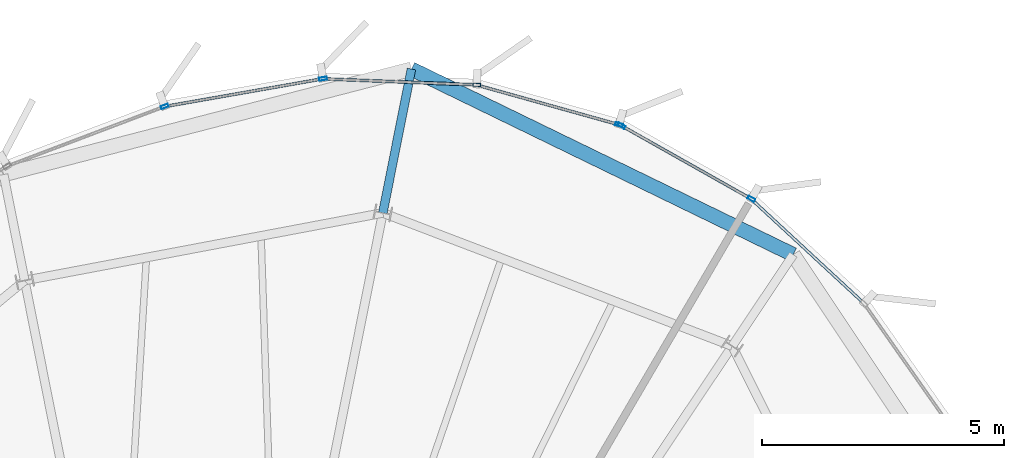
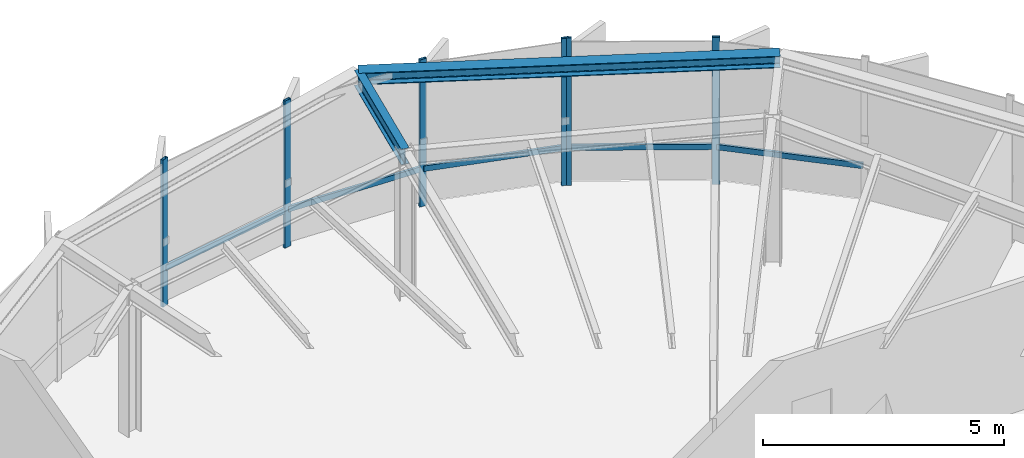
# One storey, part 17 of 25: 11 members, 2 beams, 2 elements without a shape of their own.
"""IFC4 building model written with IfcOpenShell, lengths in metres."""

from ifc_helpers import new_model, si_unit, direction, frame, origin, origin_2d, place, context, subcontext, project, spatial, hollow_rectangle, i_section, extrude, source, transform, mapped, material, layer, layer_set, material_profile, profile_set, type_object, element, aggregate, save


model = new_model("IFC4")

# Units and contexts
model_context = context("Model", 3, precision=1e-05, world=origin(), true_north=direction((0.0, 1.0)))
body_context = subcontext(model_context, "Body", "Model", "MODEL_VIEW")
ifc_project = project(units=[si_unit("LENGTHUNIT", "METRE"), si_unit("AREAUNIT", "SQUARE_METRE"), si_unit("VOLUMEUNIT", "CUBIC_METRE"), si_unit("PLANEANGLEUNIT", "RADIAN"), si_unit("MASSUNIT", "GRAM", prefix="KILO"), si_unit("THERMODYNAMICTEMPERATUREUNIT", "KELVIN")], contexts=[model_context])

# Site, building, storey
site_placement = place(None, origin())
site = spatial("IfcSite", under=ifc_project, at=site_placement, CompositionType="ELEMENT")
building_placement = place(site_placement, origin())
building = spatial("IfcBuilding", under=site, at=building_placement, Name="Kethvar Cultural Tower", CompositionType="ELEMENT")
storey_placement = place(building_placement, frame((0.0, 0.0, 304.300048828125)))
storey = spatial("IfcBuildingStorey", under=building, at=storey_placement, Name="L81", CompositionType="ELEMENT", Elevation=304.300048828125)

# Beams
ifc_material_1 = material(Name="Steel S355J2", Category="steel")
ifc_material_profile_1 = material_profile(ifc_material_1, i_section(OverallWidth=0.179931640625, OverallDepth=0.39990234375, WebThickness=0.008544921875, FlangeThickness=0.013427734375, FilletRadius=0.02099609375, at=origin_2d()), Name="Steel S355J2 — IPE400")
ifc_profile_set_1 = profile_set([ifc_material_profile_1], Name="Steel S355J2 — IPE400")
beam_type_1 = type_object("IfcBeamType", Name="BM-IPE400", PredefinedType="BEAM", material=ifc_profile_set_1)
shared_shape_1 = source(origin(), body_context, "Body", "SweptSolid", [
    extrude(i_section(OverallWidth=0.179931640625, OverallDepth=0.39990234375, WebThickness=0.008544921875, FlangeThickness=0.013427734375, FilletRadius=0.02099609375, at=origin_2d()), origin(), (0.0, 0.0, 1.0), 3.035888671875),
])
beam_1_placement = place(storey_placement, frame((50.645263671875, 47.131591796875, 3.532958984375), z_axis=(0.195095332278, 0.980784283787, 0.0), x_axis=(-0.980784283787, 0.195095332278, 0.0)))
element("IfcBeam", 1, at=beam_1_placement, inside=storey, type_object=beam_type_1, Name="L81 Perimeter Cantilever Beam RC-04", PredefinedType="BEAM", context=body_context, shape_type="MappedRepresentation", body=[
    mapped(shared_shape_1, transform((0.0, 0.0, 0.0), scale=1.0)),
])
ifc_material_profile_2 = material_profile(ifc_material_1, i_section(OverallWidth=0.300048828125, OverallDepth=0.300048828125, WebThickness=0.010986328125, FlangeThickness=0.01904296875, FilletRadius=0.027099609375, at=origin_2d()), Name="Steel S355J2 — HEB300")
ifc_profile_set_2 = profile_set([ifc_material_profile_2], Name="Steel S355J2 — HEB300")
beam_type_2 = type_object("IfcBeamType", Name="BM-SP300", PredefinedType="SPANDREL", material=ifc_profile_set_2)
shared_shape_2 = source(origin(), body_context, "Body", "SweptSolid", [
    extrude(i_section(OverallWidth=0.300048828125, OverallDepth=0.300048828125, WebThickness=0.010986328125, FlangeThickness=0.01904296875, FilletRadius=0.027099609375, at=origin_2d()), origin(), (0.0, 0.0, 1.0), 8.786376953125),
])
beam_2_placement = place(storey_placement, frame((59.13916015625, 46.266845703125, 3.5830078125), z_axis=(-0.8993130673, 0.43730539327, 0.0), x_axis=(-0.43730539327, -0.8993130673, 0.0)))
element("IfcBeam", 2, at=beam_2_placement, inside=storey, type_object=beam_type_2, Name="L81 Perimeter Spandrel Beam SP-03", PredefinedType="SPANDREL", context=body_context, shape_type="MappedRepresentation", body=[
    mapped(shared_shape_2, transform((0.0, 0.0, 0.0), scale=1.0)),
])

# Curtain wall, members
ifc_material_2 = material(Name="Aluminium 6063-T6", Category="aluminium")
ifc_layer = layer(ifc_material_2, 0.179931640625, Name="Aluminium 6063-T6", Category="aluminium")
ifc_layer_set = layer_set([ifc_layer], Name="Aluminium 6063-T6 (180 mm)")
curtain_wall_type = type_object("IfcCurtainWallType", Name="CW-SYS-06-CROWN", PredefinedType="NOTDEFINED", material=ifc_layer_set)
curtain_wall_1_placement = place(storey_placement, origin())
curtain_wall_1 = element("IfcCurtainWall", 3, at=curtain_wall_1_placement, inside=storey, type_object=curtain_wall_type, Name="L81 Curtain Wall Run 01", PredefinedType="NOTDEFINED")
ifc_material_profile_3 = material_profile(ifc_material_2, hollow_rectangle(XDim=0.06494140625, YDim=0.159912109375, WallThickness=0.0048828125, at=origin_2d()), Name="Aluminium 6063-T6 — RHS160x65x5")
ifc_profile_set_3 = profile_set([ifc_material_profile_3], Name="Aluminium 6063-T6 — RHS160x65x5")
member_type_1 = type_object("IfcMemberType", Name="CW-SYS-06-CROWN-MUL", PredefinedType="MULLION", material=ifc_profile_set_3)
shared_shape_3 = source(origin(), body_context, "Body", "SweptSolid", [
    extrude(hollow_rectangle(XDim=0.06494140625, YDim=0.159912109375, WallThickness=0.0048828125, at=origin_2d()), origin(), (0.0, 0.0, 1.0), 3.73486328125),
])
member_1_placement = place(storey_placement, frame((55.53369140625, 48.956787109375, 0.0), z_axis=(0.0, 0.0, 1.0), x_axis=(-0.268684467577, -0.963228247552, 0.0)))
member_1 = element("IfcMember", 4, at=member_1_placement, type_object=member_type_1, Name="CW-L81-R01 Mullion 1", PredefinedType="MULLION", context=body_context, shape_type="MappedRepresentation", body=[
    mapped(shared_shape_3, transform((0.0, 0.0, 0.0), scale=1.0)),
])
member_2_placement = place(storey_placement, frame((52.589111328125, 49.781494140625, 0.0), z_axis=(0.0, 0.0, 1.0), x_axis=(-0.038945896767, -0.999241320765, 0.0)))
member_2 = element("IfcMember", 5, at=member_2_placement, type_object=member_type_1, Name="CW-L81-R01 Mullion 2", PredefinedType="MULLION", context=body_context, shape_type="MappedRepresentation", body=[
    mapped(shared_shape_3, transform((0.0, 0.0, 0.0), scale=1.0)),
])
member_3_placement = place(storey_placement, frame((49.407470703125, 49.908203125, 0.0), z_axis=(0.0, 0.0, 1.0), x_axis=(0.172857467449, -0.984946849301, 0.0)))
member_3 = element("IfcMember", 6, at=member_3_placement, type_object=member_type_1, Name="CW-L81-R01 Mullion 3", PredefinedType="MULLION", context=body_context, shape_type="MappedRepresentation", body=[
    mapped(shared_shape_3, transform((0.0, 0.0, 0.0), scale=1.0)),
])
member_4_placement = place(storey_placement, frame((46.1318359375, 49.33544921875, 0.0), z_axis=(0.0, 0.0, 1.0), x_axis=(0.354340001077, -0.935116657769, 0.0)))
member_4 = element("IfcMember", 7, at=member_4_placement, type_object=member_type_1, Name="CW-L81-R01 Mullion 4", PredefinedType="MULLION", context=body_context, shape_type="MappedRepresentation", body=[
    mapped(shared_shape_3, transform((0.0, 0.0, 0.0), scale=1.0)),
])

curtain_wall_2_placement = place(storey_placement, origin())
curtain_wall_2 = element("IfcCurtainWall", 8, at=curtain_wall_2_placement, inside=storey, type_object=curtain_wall_type, Name="L81 Curtain Wall Run 06", PredefinedType="NOTDEFINED")
member_5_placement = place(storey_placement, frame((58.272216796875, 47.42041015625, 0.0), z_axis=(0.0, 0.0, 1.0), x_axis=(-0.491116616651, -0.871093834698, 0.0)))
member_5 = element("IfcMember", 9, at=member_5_placement, type_object=member_type_1, Name="CW-L81-R06 Mullion 6", PredefinedType="MULLION", context=body_context, shape_type="MappedRepresentation", body=[
    mapped(shared_shape_3, transform((0.0, 0.0, 0.0), scale=1.0)),
])
member_6_placement = place(storey_placement, frame((55.58447265625, 48.935791015625, 0.0), z_axis=(0.0, 0.0, 1.0), x_axis=(-0.491116616651, -0.871093834698, 0.0)))
member_6 = element("IfcMember", 10, at=member_6_placement, type_object=member_type_1, Name="CW-L81-R06 Mullion 7", PredefinedType="MULLION", context=body_context, shape_type="MappedRepresentation", body=[
    mapped(shared_shape_3, transform((0.0, 0.0, 0.0), scale=1.0)),
])

# Member
ifc_material_profile_4 = material_profile(ifc_material_2, hollow_rectangle(XDim=0.06005859375, YDim=0.139892578125, WallThickness=0.0048828125, at=origin_2d()), Name="Aluminium 6063-T6 — RHS140x60x5")
ifc_profile_set_4 = profile_set([ifc_material_profile_4], Name="Aluminium 6063-T6 — RHS140x60x5")
member_type_2 = type_object("IfcMemberType", Name="CW-SYS-06-CROWN-TRN", PredefinedType="USERDEFINED", material=ifc_profile_set_4)
shared_shape_4 = source(origin(), body_context, "Body", "SweptSolid", [
    extrude(hollow_rectangle(XDim=0.06005859375, YDim=0.139892578125, WallThickness=0.0048828125, at=origin_2d()), origin(), (0.0, 0.0, 1.0), 3.0341796875),
])
member_7_placement = place(storey_placement, frame((55.529296875, 48.9580078125, 0.949951171875), z_axis=(-0.963232628437, 0.268668761703, 0.0), x_axis=(-0.268668761703, -0.963232628437, 0.0)))
member_7 = element("IfcMember", 11, at=member_7_placement, type_object=member_type_2, Name="CW-L81-R01 Transom 1", ObjectType="TRANSOM", PredefinedType="USERDEFINED", context=body_context, shape_type="MappedRepresentation", body=[
    mapped(shared_shape_4, transform((0.0, 0.0, 0.0), scale=1.0)),
])

member_8_placement = place(storey_placement, frame((58.2314453125, 47.443359375, 0.949951171875), z_axis=(-0.871080862211, 0.491139625248, 0.0), x_axis=(-0.491139625248, -0.871080862211, 0.0)))
member_8 = element("IfcMember", 12, at=member_8_placement, type_object=member_type_2, Name="CW-L81-R06 Transom 6", ObjectType="TRANSOM", PredefinedType="USERDEFINED", context=body_context, shape_type="MappedRepresentation", body=[
    mapped(shared_shape_4, transform((0.0, 0.0, 0.0), scale=1.0)),
])

shared_shape_5 = source(origin(), body_context, "Body", "SweptSolid", [
    extrude(hollow_rectangle(XDim=0.06005859375, YDim=0.139892578125, WallThickness=0.0048828125, at=origin_2d()), origin(), (0.0, 0.0, 1.0), 3.1162109375),
])
member_9_placement = place(storey_placement, frame((52.54248046875, 49.783203125, 0.949951171875), z_axis=(-0.99923855313, 0.039016841733, 0.0), x_axis=(-0.039016841733, -0.99923855313, 0.0)))
member_9 = element("IfcMember", 13, at=member_9_placement, type_object=member_type_2, Name="CW-L81-R01 Transom 2", ObjectType="TRANSOM", PredefinedType="USERDEFINED", context=body_context, shape_type="MappedRepresentation", body=[
    mapped(shared_shape_5, transform((0.0, 0.0, 0.0), scale=1.0)),
])

shared_shape_6 = source(origin(), body_context, "Body", "SweptSolid", [
    extrude(hollow_rectangle(XDim=0.06005859375, YDim=0.139892578125, WallThickness=0.0048828125, at=origin_2d()), origin(), (0.0, 0.0, 1.0), 3.254150390625),
])
member_10_placement = place(storey_placement, frame((49.361328125, 49.900146484375, 0.949951171875), z_axis=(-0.984946269481, -0.172860771244, 0.0), x_axis=(0.172860771244, -0.984946269481, 0.0)))
member_10 = element("IfcMember", 14, at=member_10_placement, type_object=member_type_2, Name="CW-L81-R01 Transom 3", ObjectType="TRANSOM", PredefinedType="USERDEFINED", context=body_context, shape_type="MappedRepresentation", body=[
    mapped(shared_shape_6, transform((0.0, 0.0, 0.0), scale=1.0)),
])

aggregate(curtain_wall_1, [member_1, member_2, member_3, member_4, member_7, member_9, member_10])

shared_shape_7 = source(origin(), body_context, "Body", "SweptSolid", [
    extrude(hollow_rectangle(XDim=0.06005859375, YDim=0.139892578125, WallThickness=0.0048828125, at=origin_2d()), origin(), (0.0, 0.0, 1.0), 3.11572265625),
])
member_11_placement = place(storey_placement, frame((60.571533203125, 45.289306640625, 0.949951171875), z_axis=(-0.73411213362, 0.67902825808, 0.0), x_axis=(-0.67902825808, -0.73411213362, 0.0)))
member_11 = element("IfcMember", 15, at=member_11_placement, type_object=member_type_2, Name="CW-L81-R06 Transom 5", ObjectType="TRANSOM", PredefinedType="USERDEFINED", context=body_context, shape_type="MappedRepresentation", body=[
    mapped(shared_shape_7, transform((0.0, 0.0, 0.0), scale=1.0)),
])

aggregate(curtain_wall_2, [member_5, member_6, member_11, member_8])

save(model, "model.ifc")
